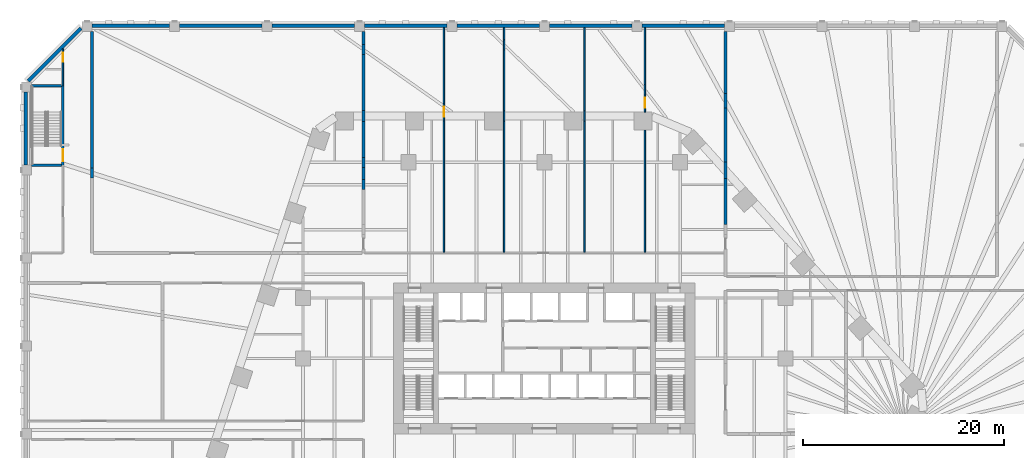
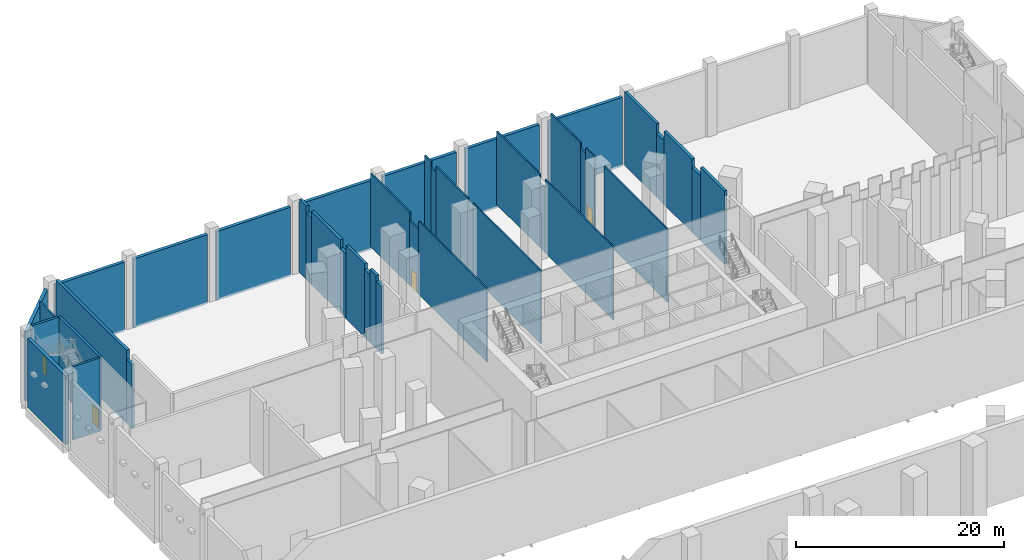
# One storey, part 11 of 23: 43 walls, 4 doors, 4 openings.
"""IFC4 building model written with IfcOpenShell, lengths in metres."""

import ifcopenshell
import ifcopenshell.guid

model = None  # the IFC model being written
_history = None  # IfcOwnerHistory: only IFC2X3 demands one
_inside = {}  # id of a spatial element -> (the spatial element, [elements in it])
_under = {}  # id of a project, library or spatial element -> (it, [spatial elements below it])
_declared = {}  # id of a project -> (the project, [libraries it declares])
_typed = {}  # id of a type object -> (the type object, [elements of that type])
_made_of = {}  # id of a material, layer set ... -> (it, [elements and type objects made of it])


def new_model(schema):
    """Start an empty IFC model of exactly this schema.

    Asked for "IFC4X3", IfcOpenShell would pick the latest addendum, in which some entities
    have other attributes; the version numbers below select the first issue.
    IFC2X3 requires an IfcOwnerHistory on every rooted entity: one is made here for all.
    """
    global model, _history
    if schema == "IFC4X3":
        model = ifcopenshell.file(schema_version=(4, 3, 0, 0))
    else:
        model = ifcopenshell.file(schema=schema)
    _inside.clear()
    _under.clear()
    _declared.clear()
    _typed.clear()
    _made_of.clear()
    _history = None
    if model.schema == "IFC2X3":
        org = make("IfcOrganization", Name="unknown")
        user = make(
            "IfcPersonAndOrganization",
            ThePerson=make("IfcPerson", FamilyName="unknown"),
            TheOrganization=org,
        )
        app = make(
            "IfcApplication",
            ApplicationDeveloper=org,
            Version="unknown",
            ApplicationFullName="unknown",
            ApplicationIdentifier="unknown",
        )
        _history = make(
            "IfcOwnerHistory",
            OwningUser=user,
            OwningApplication=app,
            ChangeAction="ADDED",
            CreationDate=0,
        )
    return model


def make(cls, **values):
    """One entity of the class cls with the attributes given. An attribute that is None is left unset."""
    return model.create_entity(
        cls, **{name: value for name, value in values.items() if value is not None}
    )


def rooted(cls, **values):
    """An entity with a GlobalId (a new one), such as an element, a storey or a relation."""
    return make(cls, GlobalId=ifcopenshell.guid.new(), OwnerHistory=_history, **values)


def si_unit(unit_type, name, prefix=None):
    """IfcSIUnit, for example si_unit("LENGTHUNIT", "METRE", prefix="MILLI")."""
    return make("IfcSIUnit", UnitType=unit_type, Prefix=prefix, Name=name)


def assignment(units):
    """IfcUnitAssignment: the units of a project."""
    return None if units is None else make("IfcUnitAssignment", Units=units)


def point(xyz):
    """IfcCartesianPoint."""
    return None if xyz is None else make("IfcCartesianPoint", Coordinates=xyz)


def direction(xyz):
    """IfcDirection."""
    return None if xyz is None else make("IfcDirection", DirectionRatios=xyz)


def frame(location, z_axis=None, x_axis=None):
    """IfcAxis2Placement3D, a coordinate frame: its origin and axes. An axis left out is left unset."""
    return make(
        "IfcAxis2Placement3D",
        Location=point(location),
        Axis=direction(z_axis),
        RefDirection=direction(x_axis),
    )


def frame_2d(location, x_axis=None):
    """IfcAxis2Placement2D, a coordinate frame in the plane: its origin and x axis."""
    return make(
        "IfcAxis2Placement2D", Location=point(location), RefDirection=direction(x_axis)
    )


def origin():
    """The frame at (0, 0, 0) with its axes left unset."""
    return frame((0.0, 0.0, 0.0))


def place(relative_to, where):
    """IfcLocalPlacement: puts the frame where relative to a parent placement (None: the world)."""
    return make(
        "IfcLocalPlacement", PlacementRelTo=relative_to, RelativePlacement=where
    )


def context(
    kind, dimensions, precision=None, world=None, true_north=None, identifier=None
):
    """IfcGeometricRepresentationContext, for example the 3D "Model" context."""
    return make(
        "IfcGeometricRepresentationContext",
        ContextIdentifier=identifier,
        ContextType=kind,
        CoordinateSpaceDimension=dimensions,
        Precision=precision,
        WorldCoordinateSystem=world,
        TrueNorth=true_north,
    )


def subcontext(parent, identifier, kind, view, scale=None):
    """IfcGeometricRepresentationSubContext, for example "Body" below "Model"."""
    return make(
        "IfcGeometricRepresentationSubContext",
        ContextIdentifier=identifier,
        ContextType=kind,
        ParentContext=parent,
        TargetScale=scale,
        TargetView=view,
    )


def project(units=None, contexts=None):
    """IfcProject with its units and contexts."""
    return rooted(
        "IfcProject",
        Name="project",
        RepresentationContexts=contexts,
        UnitsInContext=assignment(units),
    )


def spatial(cls, under=None, at=None, **own):
    """A site, building, storey or space (cls), placed at a placement, below another one or the project."""
    s = rooted(cls, ObjectPlacement=at, **own)
    if under is not None:
        _under.setdefault(under.id(), (under, []))[1].append(s)
    return s


def profile(cls, at=None, kind="AREA", **sizes):
    """A parametric profile (cls). Its sizes go by their IFC names, for example OverallWidth=200.0."""
    return make(cls, ProfileType=kind, Position=at, **sizes)


def rectangle(**sizes):
    """IfcRectangleProfileDef."""
    return profile("IfcRectangleProfileDef", **sizes)


def extrude(swept, where, along, depth):
    """IfcExtrudedAreaSolid: the profile swept, set in the frame where, extruded along a direction by depth."""
    return make(
        "IfcExtrudedAreaSolid",
        SweptArea=swept,
        Position=where,
        ExtrudedDirection=direction(along),
        Depth=depth,
    )


def shape(context_of_items, identifier, shape_type, items):
    """IfcShapeRepresentation: the items that make up one representation, for example the "Body"."""
    return make(
        "IfcShapeRepresentation",
        ContextOfItems=context_of_items,
        RepresentationIdentifier=identifier,
        RepresentationType=shape_type,
        Items=items,
    )


def material(Name=None, Category=None):
    """IfcMaterial."""
    return make("IfcMaterial", Name=Name, Category=Category)


def layer(
    of_material, thickness, ventilated=None, Name=None, Category=None, Priority=None
):
    """IfcMaterialLayer: one layer of a wall or slab, of a material (None: an air gap)."""
    return make(
        "IfcMaterialLayer",
        Material=of_material,
        LayerThickness=thickness,
        IsVentilated=ventilated,
        Name=Name,
        Category=Category,
        Priority=Priority,
    )


def layer_set(layers, Name=None):
    """IfcMaterialLayerSet."""
    return make("IfcMaterialLayerSet", MaterialLayers=layers, LayerSetName=Name)


def made_of(thing, what):
    """Note that an element or type object is made of a material, layer set ...; save() writes the relation."""
    if what is not None:
        _made_of.setdefault(what.id(), (what, []))[1].append(thing)
    return thing


def type_object(cls, material=None, **own):
    """A type object (cls), such as IfcWallType, which elements share."""
    return made_of(rooted(cls, **own), material)


def element(
    cls,
    number,
    at=None,
    inside=None,
    cuts=None,
    type_object=None,
    material=None,
    context=None,
    identifier="Body",
    shape_type=None,
    held_by="IfcProductDefinitionShape",
    body=None,
    shapes=None,
    **own,
):
    """One element of the class cls, such as IfcWall. Its Tag is "e" and its number.

    at: its placement. inside: the storey or other place that contains it. cuts: it is an
    opening in that element (IfcRelVoidsElement). A single representation is given by context,
    identifier, shape_type and body (its items); several are given by shapes. held_by: the class
    of the entity that holds the representations. save() writes the other relations.
    """
    e = rooted(cls, Tag="e%d" % number, ObjectPlacement=at, **own)
    if body is not None:
        shapes = [shape(context, identifier, shape_type, body)]
    if shapes is not None:
        e.Representation = make(held_by, Representations=shapes)
    if inside is not None:
        _inside.setdefault(inside.id(), (inside, []))[1].append(e)
    if cuts is not None:
        rooted(
            "IfcRelVoidsElement", RelatingBuildingElement=cuts, RelatedOpeningElement=e
        )
    if type_object is not None:
        _typed.setdefault(type_object.id(), (type_object, []))[1].append(e)
    return made_of(e, material)


def fill(opening, filler):
    """IfcRelFillsElement: the door or window that sits in an opening."""
    return rooted(
        "IfcRelFillsElement",
        RelatingOpeningElement=opening,
        RelatedBuildingElement=filler,
    )


def aggregate(whole, parts):
    """IfcRelAggregates: a whole, such as a stair, and the parts it consists of."""
    return rooted("IfcRelAggregates", RelatingObject=whole, RelatedObjects=parts)


def save(model, path):
    """Write the relations noted so far, then the file.

    IfcRelAggregates (storeys below a building ...), IfcRelContainedInSpatialStructure (elements
    in a storey), IfcRelDefinesByType, IfcRelAssociatesMaterial and IfcRelDeclares: one each for
    every whole, place, type object, material and project.
    """
    for whole, parts in _under.values():
        aggregate(whole, parts)
    for where, things in _inside.values():
        rooted(
            "IfcRelContainedInSpatialStructure",
            RelatedElements=things,
            RelatingStructure=where,
        )
    for kind, things in _typed.values():
        rooted("IfcRelDefinesByType", RelatedObjects=things, RelatingType=kind)
    for what, things in _made_of.values():
        rooted("IfcRelAssociatesMaterial", RelatedObjects=things, RelatingMaterial=what)
    for by, libraries in _declared.values():
        rooted("IfcRelDeclares", RelatingContext=by, RelatedDefinitions=libraries)
    model.write(path)


model = new_model("IFC4")

# Units and contexts
model_context = context("Model", 3, precision=1e-05, world=origin(), true_north=direction((0.0, 1.0)))
body_context = subcontext(model_context, "Body", "Model", "MODEL_VIEW")
ifc_project = project(units=[si_unit("LENGTHUNIT", "METRE"), si_unit("AREAUNIT", "SQUARE_METRE"), si_unit("VOLUMEUNIT", "CUBIC_METRE"), si_unit("PLANEANGLEUNIT", "RADIAN"), si_unit("MASSUNIT", "GRAM", prefix="KILO")], contexts=[model_context])

# Site, building, storey
site_placement = place(None, origin())
site = spatial("IfcSite", under=ifc_project, at=site_placement, CompositionType="ELEMENT")
building_placement = place(site_placement, origin())
building = spatial("IfcBuilding", under=site, at=building_placement, Name="Isthmus Gate Tower", CompositionType="ELEMENT")
storey_placement = place(building_placement, frame((0.0, 0.0, 9.0)))
storey = spatial("IfcBuildingStorey", under=building, at=storey_placement, Name="L01", CompositionType="ELEMENT", Elevation=9.0)

# Walls
ifc_material_1 = material(Name="Double-leaf gypsum board with mineral wool, resilient mounted")
ifc_layer_1 = layer(ifc_material_1, 0.300048828125)
ifc_layer_set_1 = layer_set([ifc_layer_1], Name="Acoustic studio wall 300 double leaf")
wall_type_1 = type_object("IfcWallType", Name="Acoustic studio wall 300 double leaf", PredefinedType="PARTITIONING", material=ifc_layer_set_1)
wall_1_placement = place(storey_placement, frame((-45.0, 25.430908203125, 0.0), z_axis=(0.0, 0.0, 1.0), x_axis=(0.0, 1.0, 0.0)))
element("IfcWall", 1, at=wall_1_placement, inside=storey, type_object=wall_type_1, Name="Acoustic studio wall", PredefinedType="PARTITIONING", context=body_context, shape_type="SweptSolid", body=[
    extrude(rectangle(XDim=1.0, YDim=0.300048828125, at=frame_2d((0.5, 0.0))), origin(), (0.0, 0.0, 1.0), 7.510986328125),
])
wall_2_placement = place(storey_placement, frame((-45.0, 26.430908203125, 0.0), z_axis=(0.0, 0.0, 1.0), x_axis=(0.0, 1.0, 0.0)))
element("IfcWall", 2, at=wall_2_placement, inside=storey, type_object=wall_type_1, Name="Acoustic studio wall", PredefinedType="PARTITIONING", context=body_context, shape_type="SweptSolid", body=[
    extrude(rectangle(XDim=13.569091796875, YDim=0.300048828125, at=frame_2d((6.78466796875, 0.0))), origin(), (0.0, 0.0, 1.0), 8.60009765625),
])
wall_3_placement = place(storey_placement, frame((-18.0, 24.26904296875, 0.0), z_axis=(0.0, 0.0, 1.0), x_axis=(0.0, 1.0, 0.0)))
element("IfcWall", 3, at=wall_3_placement, inside=storey, type_object=wall_type_1, Name="Acoustic studio wall", PredefinedType="PARTITIONING", context=body_context, shape_type="SweptSolid", body=[
    extrude(rectangle(XDim=1.0, YDim=0.300048828125, at=frame_2d((0.5, 0.0))), origin(), (0.0, 0.0, 1.0), 7.920654296875),
])
wall_4_placement = place(storey_placement, frame((-18.0, 25.26904296875, 0.0), z_axis=(0.0, 0.0, 1.0), x_axis=(0.0, 1.0, 0.0)))
element("IfcWall", 4, at=wall_4_placement, inside=storey, type_object=wall_type_1, Name="Acoustic studio wall", PredefinedType="PARTITIONING", context=body_context, shape_type="SweptSolid", body=[
    extrude(rectangle(XDim=1.23095703125, YDim=0.300048828125, at=frame_2d((0.615478515625, 0.0))), origin(), (0.0, 0.0, 1.0), 8.60009765625),
])
wall_5_placement = place(storey_placement, frame((-18.0, 26.5, 0.0), z_axis=(0.0, 0.0, 1.0), x_axis=(0.0, 1.0, 0.0)))
element("IfcWall", 5, at=wall_5_placement, inside=storey, type_object=wall_type_1, Name="Acoustic studio wall", PredefinedType="PARTITIONING", context=body_context, shape_type="SweptSolid", body=[
    extrude(rectangle(XDim=1.0, YDim=0.300048828125, at=frame_2d((0.5, 0.0))), origin(), (0.0, 0.0, 1.0), 7.99365234375),
])
wall_6_placement = place(storey_placement, frame((-18.0, 27.5, 0.0), z_axis=(0.0, 0.0, 1.0), x_axis=(0.0, 1.0, 0.0)))
element("IfcWall", 6, at=wall_6_placement, inside=storey, type_object=wall_type_1, Name="Acoustic studio wall", PredefinedType="PARTITIONING", context=body_context, shape_type="SweptSolid", body=[
    extrude(rectangle(XDim=3.550048828125, YDim=0.300048828125, at=frame_2d((1.77490234375, 0.0))), origin(), (0.0, 0.0, 1.0), 8.60009765625),
])
wall_7_placement = place(storey_placement, frame((-18.0, 31.050048828125, 0.0), z_axis=(0.0, 0.0, 1.0), x_axis=(0.0, 1.0, 0.0)))
element("IfcWall", 7, at=wall_7_placement, inside=storey, type_object=wall_type_1, Name="Acoustic studio wall", PredefinedType="PARTITIONING", context=body_context, shape_type="SweptSolid", body=[
    extrude(rectangle(XDim=1.099853515625, YDim=0.300048828125, at=frame_2d((0.5498046875, 0.0))), origin(), (0.0, 0.0, 1.0), 7.60009765625),
])
wall_8_placement = place(storey_placement, frame((-18.0, 32.14990234375, 0.0), z_axis=(0.0, 0.0, 1.0), x_axis=(0.0, 1.0, 0.0)))
element("IfcWall", 8, at=wall_8_placement, inside=storey, type_object=wall_type_1, Name="Acoustic studio wall", PredefinedType="PARTITIONING", context=body_context, shape_type="SweptSolid", body=[
    extrude(rectangle(XDim=5.555419921875, YDim=0.300048828125, at=frame_2d((2.77783203125, 0.0))), origin(), (0.0, 0.0, 1.0), 8.60009765625),
])
wall_9_placement = place(storey_placement, frame((-18.0, 37.705322265625, 0.0), z_axis=(0.0, 0.0, 1.0), x_axis=(0.0, 1.0, 0.0)))
element("IfcWall", 9, at=wall_9_placement, inside=storey, type_object=wall_type_1, Name="Acoustic studio wall", PredefinedType="PARTITIONING", context=body_context, shape_type="SweptSolid", body=[
    extrude(rectangle(XDim=1.0, YDim=0.300048828125, at=frame_2d((0.5, 0.0))), origin(), (0.0, 0.0, 1.0), 7.84130859375),
])
wall_10_placement = place(storey_placement, frame((-18.0, 38.705322265625, 0.0), z_axis=(0.0, 0.0, 1.0), x_axis=(0.0, 1.0, 0.0)))
element("IfcWall", 10, at=wall_10_placement, inside=storey, type_object=wall_type_1, Name="Acoustic studio wall", PredefinedType="PARTITIONING", context=body_context, shape_type="SweptSolid", body=[
    extrude(rectangle(XDim=1.294677734375, YDim=0.300048828125, at=frame_2d((0.6474609375, 0.0))), origin(), (0.0, 0.0, 1.0), 8.60009765625),
])
wall_11_placement = place(storey_placement, frame((18.0, 20.80712890625, 0.0), z_axis=(0.0, 0.0, 1.0), x_axis=(0.0, 1.0, 0.0)))
element("IfcWall", 11, at=wall_11_placement, inside=storey, type_object=wall_type_1, Name="Acoustic studio wall", PredefinedType="PARTITIONING", context=body_context, shape_type="SweptSolid", body=[
    extrude(rectangle(XDim=4.560302734375, YDim=0.300048828125, at=frame_2d((2.2802734375, 0.0))), origin(), (0.0, 0.0, 1.0), 8.60009765625),
])
wall_12_placement = place(storey_placement, frame((18.0, 25.367431640625, 0.0), z_axis=(0.0, 0.0, 1.0), x_axis=(0.0, 1.0, 0.0)))
element("IfcWall", 12, at=wall_12_placement, inside=storey, type_object=wall_type_1, Name="Acoustic studio wall", PredefinedType="PARTITIONING", context=body_context, shape_type="SweptSolid", body=[
    extrude(rectangle(XDim=1.643798828125, YDim=0.300048828125, at=frame_2d((0.82177734375, 0.0))), origin(), (0.0, 0.0, 1.0), 7.60009765625),
])
wall_13_placement = place(storey_placement, frame((18.0, 27.01123046875, 0.0), z_axis=(0.0, 0.0, 1.0), x_axis=(0.0, 1.0, 0.0)))
element("IfcWall", 13, at=wall_13_placement, inside=storey, type_object=wall_type_1, Name="Acoustic studio wall", PredefinedType="PARTITIONING", context=body_context, shape_type="SweptSolid", body=[
    extrude(rectangle(XDim=5.3623046875, YDim=0.300048828125, at=frame_2d((2.68115234375, 0.0))), origin(), (0.0, 0.0, 1.0), 8.60009765625),
])
wall_14_placement = place(storey_placement, frame((18.0, 32.37353515625, 0.0), z_axis=(0.0, 0.0, 1.0), x_axis=(0.0, 1.0, 0.0)))
element("IfcWall", 14, at=wall_14_placement, inside=storey, type_object=wall_type_1, Name="Acoustic studio wall", PredefinedType="PARTITIONING", context=body_context, shape_type="SweptSolid", body=[
    extrude(rectangle(XDim=1.46533203125, YDim=0.300048828125, at=frame_2d((0.732666015625, 0.0))), origin(), (0.0, 0.0, 1.0), 7.510986328125),
])
wall_15_placement = place(storey_placement, frame((18.0, 33.8388671875, 0.0), z_axis=(0.0, 0.0, 1.0), x_axis=(0.0, 1.0, 0.0)))
element("IfcWall", 15, at=wall_15_placement, inside=storey, type_object=wall_type_1, Name="Acoustic studio wall", PredefinedType="PARTITIONING", context=body_context, shape_type="SweptSolid", body=[
    extrude(rectangle(XDim=6.1611328125, YDim=0.300048828125, at=frame_2d((3.08056640625, 0.0))), origin(), (0.0, 0.0, 1.0), 8.60009765625),
])

# Wall, opening, door
ifc_material_2 = material(Name="Fire-rated gypsum board on steel studs", Category="steel")
ifc_layer_2 = layer(ifc_material_2, 0.14990234375)
ifc_layer_set_2 = layer_set([ifc_layer_2], Name="Fire-rated partition 150 EI 60")
wall_type_2 = type_object("IfcWallType", Name="Fire-rated partition 150 EI 60", PredefinedType="PARTITIONING", material=ifc_layer_set_2)
wall_16_placement = place(storey_placement, frame((-47.875, 34.60009765625, 0.0), z_axis=(0.0, 0.0, 1.0), x_axis=(0.0, 1.0, 0.0)))
wall_16 = element("IfcWall", 16, at=wall_16_placement, inside=storey, type_object=wall_type_2, Name="Fire-rated partition", PredefinedType="PARTITIONING", context=body_context, shape_type="SweptSolid", body=[
    extrude(rectangle(XDim=3.676513671875, YDim=0.14990234375, at=frame_2d((1.83837890625, 0.0))), origin(), (0.0, 0.0, 1.0), 8.066650390625),
])
opening_1_placement = place(wall_16_placement, frame((2.39990234375, 0.0, 0.0)))
opening_1 = element("IfcOpeningElement", 17, at=opening_1_placement, cuts=wall_16, Name="Opening DP01-03", PredefinedType="OPENING", context=body_context, shape_type="SweptSolid", body=[
    extrude(rectangle(XDim=0.89990234375, YDim=2.10009765625, at=frame_2d((0.449951171875, 1.050048828125))), frame((0.0, 0.0849609375, 0.0), z_axis=(0.0, -1.0, 0.0), x_axis=(1.0, 0.0, 0.0)), (0.0, 0.0, 1.0), 0.169921875),
])
ifc_material_3 = material(Name="Steel fire door with intumescent seals", Category="steel")
door_type_1 = type_object("IfcDoorType", Name="Fire door 900 x 2100", OperationType="SINGLE_SWING_LEFT", PredefinedType="DOOR", material=ifc_material_3)
door_1_placement = place(opening_1_placement, origin())
door_1 = element("IfcDoor", 18, at=door_1_placement, inside=storey, type_object=door_type_1, Name="Door DP01-03", OperationType="SINGLE_SWING_LEFT", OverallHeight=2.10009765625, OverallWidth=0.89990234375, PredefinedType="DOOR", context=body_context, shape_type="SweptSolid", body=[
    extrude(rectangle(XDim=0.89990234375, YDim=2.10009765625, at=frame_2d((0.449951171875, 1.050048828125))), frame((0.0, 0.02490234375, 0.0), z_axis=(0.0, -1.0, 0.0), x_axis=(1.0, 0.0, 0.0)), (0.0, 0.0, 1.0), 0.050048828125),
])
fill(opening_1, door_1)

# Walls
ifc_material_4 = material(Name="Precast concrete C40/50, limestone-faced", Category="masonry")
ifc_layer_3 = layer(ifc_material_4, 0.35009765625)
ifc_layer_set_3 = layer_set([ifc_layer_3], Name="PODIUM CLADDING WALL 350")
wall_type_3 = type_object("IfcWallType", Name="PODIUM CLADDING WALL 350", PredefinedType="SOLIDWALL", material=ifc_layer_set_3)
for number, where, z_axis, x_axis, name in (
    (19, (17.89990234375, 40.574951171875, -0.39990234375), (0.0, 0.0, 1.0), (-1.0, 0.0, 0.0), "PODIUM WALL"),
    (20, (8.699951171875, 40.574951171875, -0.39990234375), (0.0, 0.0, 1.0), (-1.0, 0.0, 0.0), "PODIUM WALL"),
    (21, (-0.5, 40.574951171875, -0.39990234375), (0.0, 0.0, 1.0), (-1.0, 0.0, 0.0), "PODIUM WALL"),
    (22, (-9.699951171875, 40.574951171875, -0.39990234375), (0.0, 0.0, 1.0), (-1.0, 0.0, 0.0), "PODIUM WALL"),
):
    element("IfcWall", number, at=place(storey_placement, frame(where, z_axis=z_axis, x_axis=x_axis)), inside=storey, type_object=wall_type_3, Name=name, PredefinedType="SOLIDWALL", context=body_context, shape_type="SweptSolid", body=[
        extrude(rectangle(XDim=8.199951171875, YDim=0.35009765625, at=frame_2d((4.10009765625, 0.0))), origin(), (0.0, 0.0, 1.0), 8.099853515625),
    ])
wall_17_placement = place(storey_placement, frame((-18.89990234375, 40.574951171875, -0.39990234375), z_axis=(0.0, 0.0, 1.0), x_axis=(-1.0, 0.0, 0.0)))
element("IfcWall", 23, at=wall_17_placement, inside=storey, type_object=wall_type_3, Name="PODIUM WALL", PredefinedType="SOLIDWALL", context=body_context, shape_type="SweptSolid", body=[
    extrude(rectangle(XDim=8.2001953125, YDim=0.35009765625, at=frame_2d((4.10009765625, 0.0))), origin(), (0.0, 0.0, 1.0), 8.099853515625),
])
wall_18_placement = place(storey_placement, frame((-28.10009765625, 40.574951171875, -0.39990234375), z_axis=(0.0, 0.0, 1.0), x_axis=(-1.0, 0.0, 0.0)))
element("IfcWall", 24, at=wall_18_placement, inside=storey, type_object=wall_type_3, Name="PODIUM WALL", PredefinedType="SOLIDWALL", context=body_context, shape_type="SweptSolid", body=[
    extrude(rectangle(XDim=8.199951171875, YDim=0.35009765625, at=frame_2d((4.10009765625, 0.0))), origin(), (0.0, 0.0, 1.0), 8.099853515625),
])
wall_19_placement = place(storey_placement, frame((-37.300048828125, 40.574951171875, -0.39990234375), z_axis=(0.0, 0.0, 1.0), x_axis=(-1.0, 0.0, 0.0)))
element("IfcWall", 25, at=wall_19_placement, inside=storey, type_object=wall_type_3, Name="PODIUM WALL", PredefinedType="SOLIDWALL", context=body_context, shape_type="SweptSolid", body=[
    extrude(rectangle(XDim=7.699951171875, YDim=0.35009765625, at=frame_2d((3.85009765625, 0.0))), origin(), (0.0, 0.0, 1.0), 8.099853515625),
])
wall_20_placement = place(storey_placement, frame((-46.071533203125, 40.327392578125, -0.39990234375), z_axis=(0.0, 0.0, 1.0), x_axis=(-0.707106781187, -0.707106781187, 0.0)))
element("IfcWall", 26, at=wall_20_placement, inside=storey, type_object=wall_type_3, Name="PODIUM WALL", PredefinedType="SOLIDWALL", context=body_context, shape_type="SweptSolid", body=[
    extrude(rectangle(XDim=7.432861328125, YDim=0.35009765625, at=frame_2d((3.71630859375, 0.0))), origin(), (0.0, 0.0, 1.0), 8.099853515625),
])
wall_21_placement = place(storey_placement, frame((-51.574951171875, 34.0, -0.39990234375), z_axis=(0.0, 0.0, 1.0), x_axis=(0.0, -1.0, 0.0)))
element("IfcWall", 27, at=wall_21_placement, inside=storey, type_object=wall_type_3, Name="PODIUM WALL", PredefinedType="SOLIDWALL", context=body_context, shape_type="SweptSolid", body=[
    extrude(rectangle(XDim=7.25, YDim=0.35009765625, at=frame_2d((3.625, 0.0))), origin(), (0.0, 0.0, 1.0), 8.099853515625),
])
ifc_material_5 = material(Name="Gypsum board on cold-formed steel studs", Category="steel")
ifc_layer_4 = layer(ifc_material_5, 0.14990234375)
ifc_layer_set_4 = layer_set([ifc_layer_4])
wall_type_4 = type_object("IfcWallType", Name="Partition 150 gypsum board on steel studs", PredefinedType="PARTITIONING", material=ifc_layer_set_4)
wall_22_placement = place(storey_placement, frame((-10.0, 18.074951171875, 0.0), z_axis=(0.0, 0.0, 1.0), x_axis=(0.0, 1.0, 0.0)))
element("IfcWall", 28, at=wall_22_placement, inside=storey, type_object=wall_type_4, Name="Partition", PredefinedType="PARTITIONING", context=body_context, shape_type="SweptSolid", body=[
    extrude(rectangle(XDim=13.050048828125, YDim=0.14990234375, at=frame_2d((6.52490234375, 0.0))), origin(), (0.0, 0.0, 1.0), 8.60009765625),
])

# Wall, opening, door
wall_23_placement = place(storey_placement, frame((-10.0, 31.125, 0.0), z_axis=(0.0, 0.0, 1.0), x_axis=(0.0, 1.0, 0.0)))
wall_23 = element("IfcWall", 29, at=wall_23_placement, inside=storey, type_object=wall_type_4, Name="Partition", PredefinedType="PARTITIONING", context=body_context, shape_type="SweptSolid", body=[
    extrude(rectangle(XDim=1.7080078125, YDim=0.14990234375, at=frame_2d((0.85400390625, 0.0))), origin(), (0.0, 0.0, 1.0), 7.60009765625),
])
opening_2_placement = place(wall_23_placement, frame((0.39990234375, 0.0, 0.0)))
opening_2 = element("IfcOpeningElement", 30, at=opening_2_placement, cuts=wall_23, Name="Opening DP01-09", PredefinedType="OPENING", context=body_context, shape_type="SweptSolid", body=[
    extrude(rectangle(XDim=1.0, YDim=2.10009765625, at=frame_2d((0.5, 1.050048828125))), frame((0.0, 0.0849609375, 0.0), z_axis=(0.0, -1.0, 0.0), x_axis=(1.0, 0.0, 0.0)), (0.0, 0.0, 1.0), 0.169921875),
])
ifc_material_6 = material(Name="Hollow metal frame with solid-core timber leaf", Category="wood")
door_type_2 = type_object("IfcDoorType", Name="Single swing door 1000 x 2100", OperationType="SINGLE_SWING_LEFT", PredefinedType="DOOR", material=ifc_material_6)
door_2_placement = place(opening_2_placement, origin())
door_2 = element("IfcDoor", 31, at=door_2_placement, inside=storey, type_object=door_type_2, Name="Door DP01-09", OperationType="SINGLE_SWING_LEFT", OverallHeight=2.10009765625, OverallWidth=1.0, PredefinedType="DOOR", context=body_context, shape_type="SweptSolid", body=[
    extrude(rectangle(XDim=1.0, YDim=2.10009765625, at=frame_2d((0.5, 1.050048828125))), frame((0.0, 0.02490234375, 0.0), z_axis=(0.0, -1.0, 0.0), x_axis=(1.0, 0.0, 0.0)), (0.0, 0.0, 1.0), 0.050048828125),
])
fill(opening_2, door_2)

# Walls
wall_24_placement = place(storey_placement, frame((-10.0, 32.8330078125, 0.0), z_axis=(0.0, 0.0, 1.0), x_axis=(0.0, 1.0, 0.0)))
element("IfcWall", 32, at=wall_24_placement, inside=storey, type_object=wall_type_4, Name="Partition", PredefinedType="PARTITIONING", context=body_context, shape_type="SweptSolid", body=[
    extrude(rectangle(XDim=7.56689453125, YDim=0.14990234375, at=frame_2d((3.783447265625, 0.0))), origin(), (0.0, 0.0, 1.0), 8.60009765625),
])
wall_25_placement = place(storey_placement, frame((-4.0, 18.074951171875, 0.0), z_axis=(0.0, 0.0, 1.0), x_axis=(0.0, 1.0, 0.0)))
element("IfcWall", 33, at=wall_25_placement, inside=storey, type_object=wall_type_4, Name="Partition", PredefinedType="PARTITIONING", context=body_context, shape_type="SweptSolid", body=[
    extrude(rectangle(XDim=13.025146484375, YDim=0.14990234375, at=frame_2d((6.5126953125, 0.0))), origin(), (0.0, 0.0, 1.0), 8.60009765625),
])
wall_26_placement = place(storey_placement, frame((-4.0, 31.10009765625, 0.0), z_axis=(0.0, 0.0, 1.0), x_axis=(0.0, 1.0, 0.0)))
element("IfcWall", 34, at=wall_26_placement, inside=storey, type_object=wall_type_4, Name="Partition", PredefinedType="PARTITIONING", context=body_context, shape_type="SweptSolid", body=[
    extrude(rectangle(XDim=1.0, YDim=0.14990234375, at=frame_2d((0.5, 0.0))), origin(), (0.0, 0.0, 1.0), 7.60009765625),
])
wall_27_placement = place(storey_placement, frame((-4.0, 32.10009765625, 0.0), z_axis=(0.0, 0.0, 1.0), x_axis=(0.0, 1.0, 0.0)))
element("IfcWall", 35, at=wall_27_placement, inside=storey, type_object=wall_type_4, Name="Partition", PredefinedType="PARTITIONING", context=body_context, shape_type="SweptSolid", body=[
    extrude(rectangle(XDim=6.06884765625, YDim=0.14990234375, at=frame_2d((3.034423828125, 0.0))), origin(), (0.0, 0.0, 1.0), 8.60009765625),
])
wall_28_placement = place(storey_placement, frame((-4.0, 38.1689453125, 0.0), z_axis=(0.0, 0.0, 1.0), x_axis=(0.0, 1.0, 0.0)))
element("IfcWall", 36, at=wall_28_placement, inside=storey, type_object=wall_type_4, Name="Partition", PredefinedType="PARTITIONING", context=body_context, shape_type="SweptSolid", body=[
    extrude(rectangle(XDim=1.0, YDim=0.14990234375, at=frame_2d((0.5, 0.0))), origin(), (0.0, 0.0, 1.0), 7.920654296875),
])
wall_29_placement = place(storey_placement, frame((-4.0, 39.1689453125, 0.0), z_axis=(0.0, 0.0, 1.0), x_axis=(0.0, 1.0, 0.0)))
element("IfcWall", 37, at=wall_29_placement, inside=storey, type_object=wall_type_4, Name="Partition", PredefinedType="PARTITIONING", context=body_context, shape_type="SweptSolid", body=[
    extrude(rectangle(XDim=1.23095703125, YDim=0.14990234375, at=frame_2d((0.615478515625, 0.0))), origin(), (0.0, 0.0, 1.0), 8.60009765625),
])
wall_30_placement = place(storey_placement, frame((4.0, 18.074951171875, 0.0), z_axis=(0.0, 0.0, 1.0), x_axis=(0.0, 1.0, 0.0)))
element("IfcWall", 38, at=wall_30_placement, inside=storey, type_object=wall_type_4, Name="Partition", PredefinedType="PARTITIONING", context=body_context, shape_type="SweptSolid", body=[
    extrude(rectangle(XDim=13.025146484375, YDim=0.14990234375, at=frame_2d((6.5126953125, 0.0))), origin(), (0.0, 0.0, 1.0), 8.60009765625),
])
wall_31_placement = place(storey_placement, frame((4.0, 31.10009765625, 0.0), z_axis=(0.0, 0.0, 1.0), x_axis=(0.0, 1.0, 0.0)))
element("IfcWall", 39, at=wall_31_placement, inside=storey, type_object=wall_type_4, Name="Partition", PredefinedType="PARTITIONING", context=body_context, shape_type="SweptSolid", body=[
    extrude(rectangle(XDim=1.0, YDim=0.14990234375, at=frame_2d((0.5, 0.0))), origin(), (0.0, 0.0, 1.0), 7.60009765625),
])
wall_32_placement = place(storey_placement, frame((4.0, 32.10009765625, 0.0), z_axis=(0.0, 0.0, 1.0), x_axis=(0.0, 1.0, 0.0)))
element("IfcWall", 40, at=wall_32_placement, inside=storey, type_object=wall_type_4, Name="Partition", PredefinedType="PARTITIONING", context=body_context, shape_type="SweptSolid", body=[
    extrude(rectangle(XDim=8.2998046875, YDim=0.14990234375, at=frame_2d((4.14990234375, 0.0))), origin(), (0.0, 0.0, 1.0), 8.60009765625),
])
wall_33_placement = place(storey_placement, frame((10.0, 18.074951171875, 0.0), z_axis=(0.0, 0.0, 1.0), x_axis=(0.0, 1.0, 0.0)))
element("IfcWall", 41, at=wall_33_placement, inside=storey, type_object=wall_type_4, Name="Partition", PredefinedType="PARTITIONING", context=body_context, shape_type="SweptSolid", body=[
    extrude(rectangle(XDim=12.125, YDim=0.14990234375, at=frame_2d((6.0625, 0.0))), origin(), (0.0, 0.0, 1.0), 8.60009765625),
])

# Wall, opening, door
wall_34_placement = place(storey_placement, frame((10.0, 32.0, 0.0), z_axis=(0.0, 0.0, 1.0), x_axis=(0.0, 1.0, 0.0)))
wall_34 = element("IfcWall", 42, at=wall_34_placement, inside=storey, type_object=wall_type_4, Name="Partition", PredefinedType="PARTITIONING", context=body_context, shape_type="SweptSolid", body=[
    extrude(rectangle(XDim=1.714599609375, YDim=0.14990234375, at=frame_2d((0.857421875, 0.0))), origin(), (0.0, 0.0, 1.0), 8.60009765625),
])
opening_3_placement = place(wall_34_placement, frame((0.39990234375, 0.0, 0.0)))
opening_3 = element("IfcOpeningElement", 43, at=opening_3_placement, cuts=wall_34, Name="Opening DP01-10", PredefinedType="OPENING", context=body_context, shape_type="SweptSolid", body=[
    extrude(rectangle(XDim=1.0, YDim=2.10009765625, at=frame_2d((0.5, 1.050048828125))), frame((0.0, 0.0849609375, 0.0), z_axis=(0.0, -1.0, 0.0), x_axis=(1.0, 0.0, 0.0)), (0.0, 0.0, 1.0), 0.169921875),
])
door_3_placement = place(opening_3_placement, origin())
door_3 = element("IfcDoor", 44, at=door_3_placement, inside=storey, type_object=door_type_2, Name="Door DP01-10", OperationType="SINGLE_SWING_LEFT", OverallHeight=2.10009765625, OverallWidth=1.0, PredefinedType="DOOR", context=body_context, shape_type="SweptSolid", body=[
    extrude(rectangle(XDim=1.0, YDim=2.10009765625, at=frame_2d((0.5, 1.050048828125))), frame((0.0, 0.02490234375, 0.0), z_axis=(0.0, -1.0, 0.0), x_axis=(1.0, 0.0, 0.0)), (0.0, 0.0, 1.0), 0.050048828125),
])
fill(opening_3, door_3)

# Walls
wall_35_placement = place(storey_placement, frame((10.0, 33.714599609375, 0.0), z_axis=(0.0, 0.0, 1.0), x_axis=(0.0, 1.0, 0.0)))
element("IfcWall", 45, at=wall_35_placement, inside=storey, type_object=wall_type_4, Name="Partition", PredefinedType="PARTITIONING", context=body_context, shape_type="SweptSolid", body=[
    extrude(rectangle(XDim=1.0, YDim=0.14990234375, at=frame_2d((0.5, 0.0))), origin(), (0.0, 0.0, 1.0), 7.920654296875),
])
wall_36_placement = place(storey_placement, frame((10.0, 34.714599609375, 0.0), z_axis=(0.0, 0.0, 1.0), x_axis=(0.0, 1.0, 0.0)))
element("IfcWall", 46, at=wall_36_placement, inside=storey, type_object=wall_type_4, Name="Partition", PredefinedType="PARTITIONING", context=body_context, shape_type="SweptSolid", body=[
    extrude(rectangle(XDim=5.685302734375, YDim=0.14990234375, at=frame_2d((2.8427734375, 0.0))), origin(), (0.0, 0.0, 1.0), 8.60009765625),
])
ifc_material_7 = material(Name="Concrete f'c 40 MPa", Category="concrete")
ifc_layer_5 = layer(ifc_material_7, 0.25)
ifc_layer_set_5 = layer_set([ifc_layer_5])
wall_type_5 = type_object("IfcWallType", Name="Stair shaft wall 250 reinforced concrete", PredefinedType="SHEAR", material=ifc_layer_set_5)
for number, where, z_axis, x_axis, name in (
    (47, (-51.0, 26.699951171875, 0.0), (0.0, 0.0, 1.0), (1.0, 0.0, 0.0), "Stair shaft wall"),
    (48, (-51.0, 34.60009765625, 0.0), (0.0, 0.0, 1.0), (1.0, 0.0, 0.0), "Stair shaft wall"),
):
    element("IfcWall", number, at=place(storey_placement, frame(where, z_axis=z_axis, x_axis=x_axis)), inside=storey, type_object=wall_type_5, Name=name, PredefinedType="SHEAR", context=body_context, shape_type="SweptSolid", body=[
        extrude(rectangle(XDim=3.0, YDim=0.25, at=frame_2d((1.5, 0.0))), origin(), (0.0, 0.0, 1.0), 8.60009765625),
    ])

# Wall, opening, door
wall_37_placement = place(storey_placement, frame((-47.875, 26.699951171875, 0.0), z_axis=(0.0, 0.0, 1.0), x_axis=(0.0, 1.0, 0.0)))
wall_37 = element("IfcWall", 49, at=wall_37_placement, inside=storey, type_object=wall_type_5, Name="Stair shaft wall", PredefinedType="SHEAR", context=body_context, shape_type="SweptSolid", body=[
    extrude(rectangle(XDim=7.900146484375, YDim=0.25, at=frame_2d((3.9501953125, 0.0))), origin(), (0.0, 0.0, 1.0), 8.60009765625),
])
opening_4_placement = place(wall_37_placement, frame((0.39990234375, 0.0, 0.0)))
opening_4 = element("IfcOpeningElement", 50, at=opening_4_placement, cuts=wall_37, Name="Opening DP01-01", PredefinedType="OPENING", context=body_context, shape_type="SweptSolid", body=[
    extrude(rectangle(XDim=1.199951171875, YDim=2.10009765625, at=frame_2d((0.60009765625, 1.050048828125))), frame((0.0, 0.135009765625, 0.0), z_axis=(0.0, -1.0, 0.0), x_axis=(1.0, 0.0, 0.0)), (0.0, 0.0, 1.0), 0.27001953125),
])
ifc_material_8 = material(Name="Steel fire door with intumescent seals", Category="steel")
door_type_3 = type_object("IfcDoorType", Name="Fire door 1200 x 2100", OperationType="SINGLE_SWING_LEFT", PredefinedType="DOOR", material=ifc_material_8)
door_4_placement = place(opening_4_placement, origin())
door_4 = element("IfcDoor", 51, at=door_4_placement, inside=storey, type_object=door_type_3, Name="Door DP01-01", OperationType="SINGLE_SWING_LEFT", OverallHeight=2.10009765625, OverallWidth=1.199951171875, PredefinedType="DOOR", context=body_context, shape_type="SweptSolid", body=[
    extrude(rectangle(XDim=1.199951171875, YDim=2.10009765625, at=frame_2d((0.60009765625, 1.050048828125))), frame((0.0, 0.02490234375, 0.0), z_axis=(0.0, -1.0, 0.0), x_axis=(1.0, 0.0, 0.0)), (0.0, 0.0, 1.0), 0.050048828125),
])
fill(opening_4, door_4)

save(model, "model.ifc")
